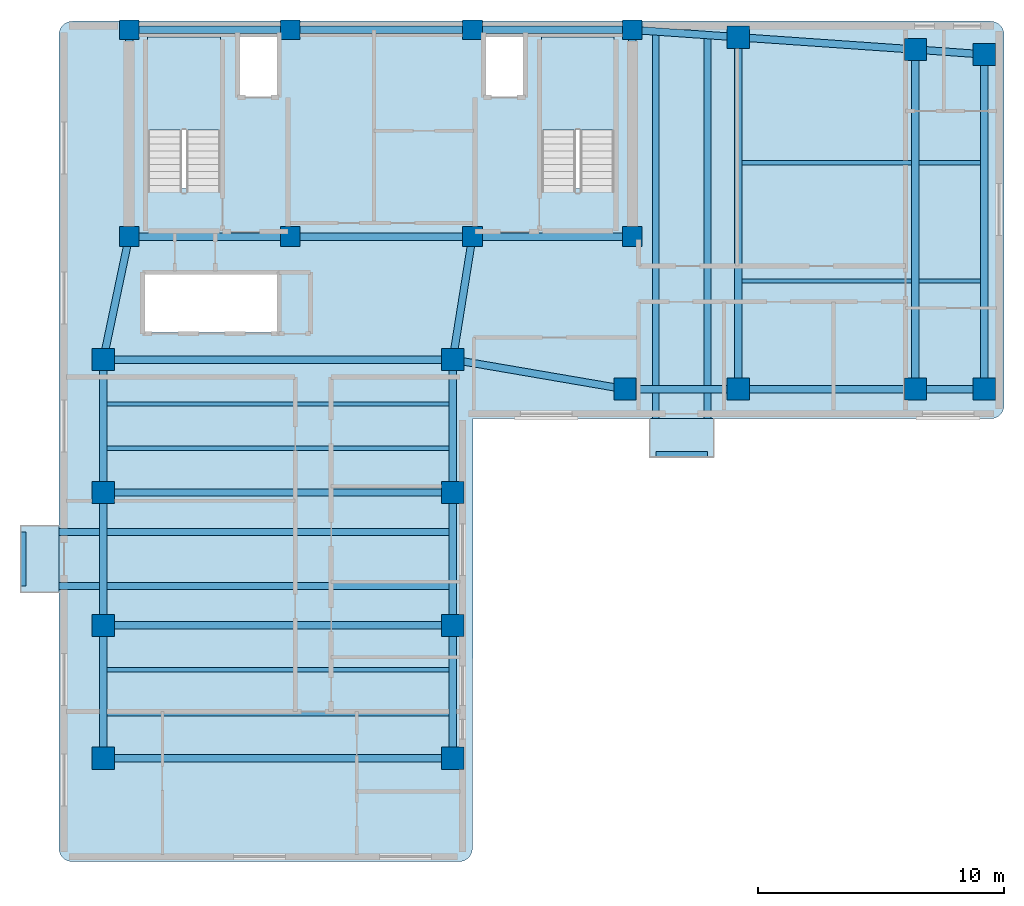
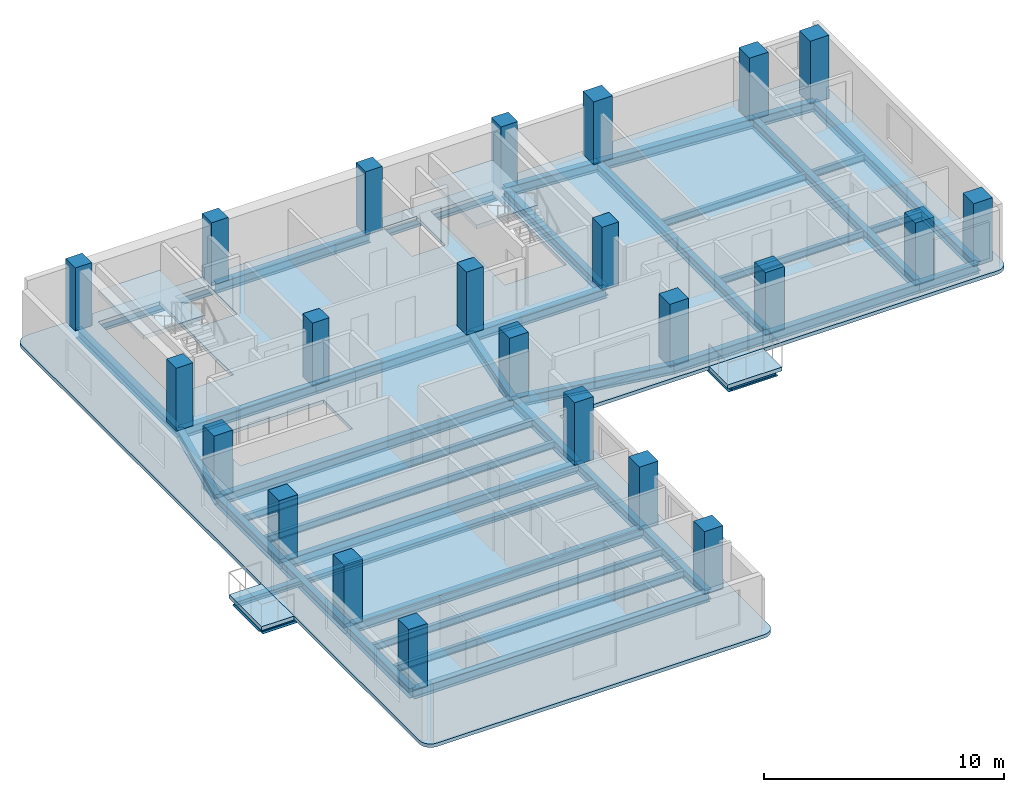
# One storey, part 1 of 7: 44 beams, 23 columns, 5 slabs, 2 elements without a shape of their own.
"""IFC4 building model written with IfcOpenShell, lengths in metres."""

import ifcopenshell
import ifcopenshell.guid

model = None  # the IFC model being written
_history = None  # IfcOwnerHistory: only IFC2X3 demands one
_inside = {}  # id of a spatial element -> (the spatial element, [elements in it])
_under = {}  # id of a project, library or spatial element -> (it, [spatial elements below it])
_declared = {}  # id of a project -> (the project, [libraries it declares])
_typed = {}  # id of a type object -> (the type object, [elements of that type])
_made_of = {}  # id of a material, layer set ... -> (it, [elements and type objects made of it])


def new_model(schema):
    """Start an empty IFC model of exactly this schema.

    Asked for "IFC4X3", IfcOpenShell would pick the latest addendum, in which some entities
    have other attributes; the version numbers below select the first issue.
    IFC2X3 requires an IfcOwnerHistory on every rooted entity: one is made here for all.
    """
    global model, _history
    if schema == "IFC4X3":
        model = ifcopenshell.file(schema_version=(4, 3, 0, 0))
    else:
        model = ifcopenshell.file(schema=schema)
    _inside.clear()
    _under.clear()
    _declared.clear()
    _typed.clear()
    _made_of.clear()
    _history = None
    if model.schema == "IFC2X3":
        org = make("IfcOrganization", Name="unknown")
        user = make(
            "IfcPersonAndOrganization",
            ThePerson=make("IfcPerson", FamilyName="unknown"),
            TheOrganization=org,
        )
        app = make(
            "IfcApplication",
            ApplicationDeveloper=org,
            Version="unknown",
            ApplicationFullName="unknown",
            ApplicationIdentifier="unknown",
        )
        _history = make(
            "IfcOwnerHistory",
            OwningUser=user,
            OwningApplication=app,
            ChangeAction="ADDED",
            CreationDate=0,
        )
    return model


def make(cls, **values):
    """One entity of the class cls with the attributes given. An attribute that is None is left unset."""
    return model.create_entity(
        cls, **{name: value for name, value in values.items() if value is not None}
    )


def rooted(cls, **values):
    """An entity with a GlobalId (a new one), such as an element, a storey or a relation."""
    return make(cls, GlobalId=ifcopenshell.guid.new(), OwnerHistory=_history, **values)


def si_unit(unit_type, name, prefix=None):
    """IfcSIUnit, for example si_unit("LENGTHUNIT", "METRE", prefix="MILLI")."""
    return make("IfcSIUnit", UnitType=unit_type, Prefix=prefix, Name=name)


def assignment(units):
    """IfcUnitAssignment: the units of a project."""
    return None if units is None else make("IfcUnitAssignment", Units=units)


def point(xyz):
    """IfcCartesianPoint."""
    return None if xyz is None else make("IfcCartesianPoint", Coordinates=xyz)


def direction(xyz):
    """IfcDirection."""
    return None if xyz is None else make("IfcDirection", DirectionRatios=xyz)


def frame(location, z_axis=None, x_axis=None):
    """IfcAxis2Placement3D, a coordinate frame: its origin and axes. An axis left out is left unset."""
    return make(
        "IfcAxis2Placement3D",
        Location=point(location),
        Axis=direction(z_axis),
        RefDirection=direction(x_axis),
    )


def frame_2d(location, x_axis=None):
    """IfcAxis2Placement2D, a coordinate frame in the plane: its origin and x axis."""
    return make(
        "IfcAxis2Placement2D", Location=point(location), RefDirection=direction(x_axis)
    )


def origin():
    """The frame at (0, 0, 0) with its axes left unset."""
    return frame((0.0, 0.0, 0.0))


def origin_2d():
    """The frame at (0, 0) in the plane with its x axis left unset."""
    return frame_2d((0.0, 0.0))


def place(relative_to, where):
    """IfcLocalPlacement: puts the frame where relative to a parent placement (None: the world)."""
    return make(
        "IfcLocalPlacement", PlacementRelTo=relative_to, RelativePlacement=where
    )


def context(
    kind, dimensions, precision=None, world=None, true_north=None, identifier=None
):
    """IfcGeometricRepresentationContext, for example the 3D "Model" context."""
    return make(
        "IfcGeometricRepresentationContext",
        ContextIdentifier=identifier,
        ContextType=kind,
        CoordinateSpaceDimension=dimensions,
        Precision=precision,
        WorldCoordinateSystem=world,
        TrueNorth=true_north,
    )


def subcontext(parent, identifier, kind, view, scale=None):
    """IfcGeometricRepresentationSubContext, for example "Body" below "Model"."""
    return make(
        "IfcGeometricRepresentationSubContext",
        ContextIdentifier=identifier,
        ContextType=kind,
        ParentContext=parent,
        TargetScale=scale,
        TargetView=view,
    )


def project(units=None, contexts=None):
    """IfcProject with its units and contexts."""
    return rooted(
        "IfcProject",
        Name="project",
        RepresentationContexts=contexts,
        UnitsInContext=assignment(units),
    )


def spatial(cls, under=None, at=None, **own):
    """A site, building, storey or space (cls), placed at a placement, below another one or the project."""
    s = rooted(cls, ObjectPlacement=at, **own)
    if under is not None:
        _under.setdefault(under.id(), (under, []))[1].append(s)
    return s


def polyline(points):
    """IfcPolyline through the points."""
    return make("IfcPolyline", Points=[point(p) for p in points])


def profile(cls, at=None, kind="AREA", **sizes):
    """A parametric profile (cls). Its sizes go by their IFC names, for example OverallWidth=200.0."""
    return make(cls, ProfileType=kind, Position=at, **sizes)


def rectangle(**sizes):
    """IfcRectangleProfileDef."""
    return profile("IfcRectangleProfileDef", **sizes)


def i_section(**sizes):
    """IfcIShapeProfileDef."""
    return profile("IfcIShapeProfileDef", **sizes)


def outline(outer, holes=None, kind="AREA"):
    """IfcArbitraryClosedProfileDef: a profile drawn as a closed curve; with holes, ...WithVoids."""
    if holes is None:
        return make("IfcArbitraryClosedProfileDef", ProfileType=kind, OuterCurve=outer)
    return make(
        "IfcArbitraryProfileDefWithVoids",
        ProfileType=kind,
        OuterCurve=outer,
        InnerCurves=holes,
    )


def extrude(swept, where, along, depth):
    """IfcExtrudedAreaSolid: the profile swept, set in the frame where, extruded along a direction by depth."""
    return make(
        "IfcExtrudedAreaSolid",
        SweptArea=swept,
        Position=where,
        ExtrudedDirection=direction(along),
        Depth=depth,
    )


def shape(context_of_items, identifier, shape_type, items):
    """IfcShapeRepresentation: the items that make up one representation, for example the "Body"."""
    return make(
        "IfcShapeRepresentation",
        ContextOfItems=context_of_items,
        RepresentationIdentifier=identifier,
        RepresentationType=shape_type,
        Items=items,
    )


def material(Name=None, Category=None):
    """IfcMaterial."""
    return make("IfcMaterial", Name=Name, Category=Category)


def layer(
    of_material, thickness, ventilated=None, Name=None, Category=None, Priority=None
):
    """IfcMaterialLayer: one layer of a wall or slab, of a material (None: an air gap)."""
    return make(
        "IfcMaterialLayer",
        Material=of_material,
        LayerThickness=thickness,
        IsVentilated=ventilated,
        Name=Name,
        Category=Category,
        Priority=Priority,
    )


def layer_set(layers, Name=None):
    """IfcMaterialLayerSet."""
    return make("IfcMaterialLayerSet", MaterialLayers=layers, LayerSetName=Name)


def material_profile(
    of_material, cross_section, Name=None, Category=None, Priority=None
):
    """IfcMaterialProfile: a cross section and its material."""
    return make(
        "IfcMaterialProfile",
        Name=Name,
        Material=of_material,
        Profile=cross_section,
        Priority=Priority,
        Category=Category,
    )


def profile_set(profiles, Name=None, composite=None):
    """IfcMaterialProfileSet."""
    return make(
        "IfcMaterialProfileSet",
        Name=Name,
        MaterialProfiles=profiles,
        CompositeProfile=composite,
    )


def made_of(thing, what):
    """Note that an element or type object is made of a material, layer set ...; save() writes the relation."""
    if what is not None:
        _made_of.setdefault(what.id(), (what, []))[1].append(thing)
    return thing


def type_object(cls, material=None, **own):
    """A type object (cls), such as IfcWallType, which elements share."""
    return made_of(rooted(cls, **own), material)


def element(
    cls,
    number,
    at=None,
    inside=None,
    cuts=None,
    type_object=None,
    material=None,
    context=None,
    identifier="Body",
    shape_type=None,
    held_by="IfcProductDefinitionShape",
    body=None,
    shapes=None,
    **own,
):
    """One element of the class cls, such as IfcWall. Its Tag is "e" and its number.

    at: its placement. inside: the storey or other place that contains it. cuts: it is an
    opening in that element (IfcRelVoidsElement). A single representation is given by context,
    identifier, shape_type and body (its items); several are given by shapes. held_by: the class
    of the entity that holds the representations. save() writes the other relations.
    """
    e = rooted(cls, Tag="e%d" % number, ObjectPlacement=at, **own)
    if body is not None:
        shapes = [shape(context, identifier, shape_type, body)]
    if shapes is not None:
        e.Representation = make(held_by, Representations=shapes)
    if inside is not None:
        _inside.setdefault(inside.id(), (inside, []))[1].append(e)
    if cuts is not None:
        rooted(
            "IfcRelVoidsElement", RelatingBuildingElement=cuts, RelatedOpeningElement=e
        )
    if type_object is not None:
        _typed.setdefault(type_object.id(), (type_object, []))[1].append(e)
    return made_of(e, material)


def aggregate(whole, parts):
    """IfcRelAggregates: a whole, such as a stair, and the parts it consists of."""
    return rooted("IfcRelAggregates", RelatingObject=whole, RelatedObjects=parts)


def save(model, path):
    """Write the relations noted so far, then the file.

    IfcRelAggregates (storeys below a building ...), IfcRelContainedInSpatialStructure (elements
    in a storey), IfcRelDefinesByType, IfcRelAssociatesMaterial and IfcRelDeclares: one each for
    every whole, place, type object, material and project.
    """
    for whole, parts in _under.values():
        aggregate(whole, parts)
    for where, things in _inside.values():
        rooted(
            "IfcRelContainedInSpatialStructure",
            RelatedElements=things,
            RelatingStructure=where,
        )
    for kind, things in _typed.values():
        rooted("IfcRelDefinesByType", RelatedObjects=things, RelatingType=kind)
    for what, things in _made_of.values():
        rooted("IfcRelAssociatesMaterial", RelatedObjects=things, RelatingMaterial=what)
    for by, libraries in _declared.values():
        rooted("IfcRelDeclares", RelatingContext=by, RelatedDefinitions=libraries)
    model.write(path)


model = new_model("IFC4")

# Units and contexts
model_context = context("Model", 3, precision=1e-05, world=origin(), true_north=direction((0.0, 1.0)))
body_context = subcontext(model_context, "Body", "Model", "MODEL_VIEW")
ifc_project = project(units=[si_unit("LENGTHUNIT", "METRE"), si_unit("AREAUNIT", "SQUARE_METRE"), si_unit("VOLUMEUNIT", "CUBIC_METRE"), si_unit("PLANEANGLEUNIT", "RADIAN"), si_unit("MASSUNIT", "GRAM", prefix="KILO")], contexts=[model_context])

# Site, building, storey
site_placement = place(None, origin())
site = spatial("IfcSite", under=ifc_project, at=site_placement, CompositionType="ELEMENT")
building_placement = place(site_placement, origin())
building = spatial("IfcBuilding", under=site, at=building_placement, Name="Kuzgunbayir Cultural Tower", CompositionType="ELEMENT")
storey_placement = place(building_placement, frame((0.0, 0.0, 201.60009765625)))
storey = spatial("IfcBuildingStorey", under=building, at=storey_placement, Name="L59", CompositionType="ELEMENT", Elevation=201.60009765625)

# Columns
ifc_material_1 = material(Name="Concrete C50/60", Category="concrete")
ifc_material_profile_1 = material_profile(ifc_material_1, rectangle(XDim=0.800048828125, YDim=0.800048828125, at=origin_2d()), Name="RC 800x800")
ifc_profile_set_1 = profile_set([ifc_material_profile_1], Name="Concrete C50/60")
column_type_1 = type_object("IfcColumnType", Name="COL-CORE-800", PredefinedType="COLUMN", material=ifc_profile_set_1)
for number, where, z_axis, x_axis, name in (
    (1, (6.449951171875, 33.800048828125, 0.0), (0.0, 0.0, 1.0), (1.0, 0.0, 0.0), "L59 T1 Core Boundary Column CC1-1"),
    (2, (13.0, 33.800048828125, 0.0), (0.0, 0.0, 1.0), (1.0, 0.0, 0.0), "L59 T1 Core Boundary Column CC1-2"),
    (3, (20.39990234375, 33.800048828125, 0.0), (0.0, 0.0, 1.0), (1.0, 0.0, 0.0), "L59 T1 Core Boundary Column CC1-3"),
    (4, (26.89990234375, 33.800048828125, 0.0), (0.0, 0.0, 1.0), (1.0, 0.0, 0.0), "L59 T1 Core Boundary Column CC1-4"),
    (5, (6.449951171875, 42.199951171875, 0.0), (0.0, 0.0, 1.0), (1.0, 0.0, 0.0), "L59 T1 Core Boundary Column CC1-5"),
    (6, (13.0, 42.199951171875, 0.0), (0.0, 0.0, 1.0), (1.0, 0.0, 0.0), "L59 T1 Core Boundary Column CC1-6"),
    (7, (20.39990234375, 42.199951171875, 0.0), (0.0, 0.0, 1.0), (1.0, 0.0, 0.0), "L59 T1 Core Boundary Column CC1-7"),
    (8, (26.89990234375, 42.199951171875, 0.0), (0.0, 0.0, 1.0), (1.0, 0.0, 0.0), "L59 T1 Core Boundary Column CC1-8"),
):
    element("IfcColumn", number, at=place(storey_placement, frame(where, z_axis=z_axis, x_axis=x_axis)), inside=storey, type_object=column_type_1, Name=name, PredefinedType="COLUMN", context=body_context, shape_type="SweptSolid", body=[
        extrude(rectangle(XDim=0.800048828125, YDim=0.800048828125, at=origin_2d()), origin(), (0.0, 0.0, 1.0), 3.199951171875),
    ])
ifc_material_profile_2 = material_profile(ifc_material_1, rectangle(XDim=0.89990234375, YDim=0.89990234375, at=origin_2d()), Name="RC 900x900")
ifc_profile_set_2 = profile_set([ifc_material_profile_2], Name="Concrete C50/60")
column_type_2 = type_object("IfcColumnType", Name="COL-T1-900", PredefinedType="COLUMN", material=ifc_profile_set_2)
for number, where, z_axis, x_axis, name in (
    (9, (5.39990234375, 12.60009765625, 0.0), (0.0, 0.0, 1.0), (1.0, 0.0, 0.0), "L59 Tower 1 Wing A Column T1A-W-1"),
    (10, (19.60009765625, 12.60009765625, 0.0), (0.0, 0.0, 1.0), (1.0, 0.0, 0.0), "L59 Tower 1 Wing A Column T1A-E-1"),
    (11, (5.39990234375, 18.0, 0.0), (0.0, 0.0, 1.0), (1.0, 0.0, 0.0), "L59 Tower 1 Wing A Column T1A-W-2"),
    (12, (19.60009765625, 18.0, 0.0), (0.0, 0.0, 1.0), (1.0, 0.0, 0.0), "L59 Tower 1 Wing A Column T1A-E-2"),
    (13, (5.39990234375, 23.39990234375, 0.0), (0.0, 0.0, 1.0), (1.0, 0.0, 0.0), "L59 Tower 1 Wing A Column T1A-W-3"),
    (14, (19.60009765625, 23.39990234375, 0.0), (0.0, 0.0, 1.0), (1.0, 0.0, 0.0), "L59 Tower 1 Wing A Column T1A-E-3"),
    (15, (5.39990234375, 28.800048828125, 0.0), (0.0, 0.0, 1.0), (1.0, 0.0, 0.0), "L59 Tower 1 Wing A Column T1A-W-4"),
    (16, (19.60009765625, 28.800048828125, 0.0), (0.0, 0.0, 1.0), (1.0, 0.0, 0.0), "L59 Tower 1 Wing A Column T1A-E-4"),
    (17, (26.60009765625, 27.60009765625, 0.0), (0.0, 0.0, 1.0), (1.0, 0.0, 0.0), "L59 Tower 1 Wing B Column T1B-1-1"),
    (18, (31.199951171875, 27.60009765625, 0.0), (0.0, 0.0, 1.0), (1.0, 0.0, 0.0), "L59 Tower 1 Wing B Column T1B-2-1"),
    (19, (31.199951171875, 41.89990234375, 0.0), (0.0, 0.0, 1.0), (1.0, 0.0, 0.0), "L59 Tower 1 Wing B Column T1B-2-2"),
    (20, (38.39990234375, 27.60009765625, 0.0), (0.0, 0.0, 1.0), (1.0, 0.0, 0.0), "L59 Tower 1 Wing B Column T1B-3-1"),
    (21, (38.39990234375, 41.39990234375, 0.0), (0.0, 0.0, 1.0), (1.0, 0.0, 0.0), "L59 Tower 1 Wing B Column T1B-3-2"),
    (22, (41.199951171875, 27.60009765625, 0.0), (0.0, 0.0, 1.0), (1.0, 0.0, 0.0), "L59 Tower 1 Wing B Column T1B-4-1"),
    (23, (41.199951171875, 41.199951171875, 0.0), (0.0, 0.0, 1.0), (1.0, 0.0, 0.0), "L59 Tower 1 Wing B Column T1B-4-2"),
):
    element("IfcColumn", number, at=place(storey_placement, frame(where, z_axis=z_axis, x_axis=x_axis)), inside=storey, type_object=column_type_2, Name=name, PredefinedType="COLUMN", context=body_context, shape_type="SweptSolid", body=[
        extrude(rectangle(XDim=0.89990234375, YDim=0.89990234375, at=origin_2d()), origin(), (0.0, 0.0, 1.0), 3.199951171875),
    ])

# Beams
ifc_material_2 = material(Name="Steel S355J2", Category="steel")
ifc_material_profile_3 = material_profile(ifc_material_2, i_section(OverallWidth=0.280029296875, OverallDepth=0.280029296875, WebThickness=0.010498046875, FlangeThickness=0.01806640625, FilletRadius=0.02392578125, at=origin_2d()), Name="HEB 280")
ifc_profile_set_3 = profile_set([ifc_material_profile_3], Name="Steel S355J2")
beam_type_1 = type_object("IfcBeamType", Name="BM-BAL-HEB280", PredefinedType="BEAM", material=ifc_profile_set_3)
for number, where, z_axis, x_axis, name in (
    (24, (2.159912109375, 19.60009765625, -0.340087890625), (1.0, 0.0, 0.0), (0.0, 1.0, 0.0), "L59 Balcony Outrigger Beam BAL-L59-WA2.1"),
    (25, (2.159912109375, 21.800048828125, -0.340087890625), (1.0, 0.0, 0.0), (0.0, 1.0, 0.0), "L59 Balcony Outrigger Beam BAL-L59-WA2.2"),
):
    element("IfcBeam", number, at=place(storey_placement, frame(where, z_axis=z_axis, x_axis=x_axis)), inside=storey, type_object=beam_type_1, Name=name, PredefinedType="BEAM", context=body_context, shape_type="SweptSolid", body=[
        extrude(i_section(OverallWidth=0.280029296875, OverallDepth=0.280029296875, WebThickness=0.010498046875, FlangeThickness=0.01806640625, FilletRadius=0.02392578125, at=origin_2d()), origin(), (0.0, 0.0, 1.0), 17.440185546875),
    ])
beam_1_placement = place(storey_placement, frame((27.85009765625, 24.9599609375, -0.340087890625), z_axis=(0.0, 1.0, 0.0), x_axis=(-1.0, 0.0, 0.0)))
element("IfcBeam", 26, at=beam_1_placement, inside=storey, type_object=beam_type_1, Name="L59 Balcony Outrigger Beam BAL-L59-WB1.1", PredefinedType="BEAM", context=body_context, shape_type="SweptSolid", body=[
    extrude(i_section(OverallWidth=0.280029296875, OverallDepth=0.280029296875, WebThickness=0.010498046875, FlangeThickness=0.01806640625, FilletRadius=0.02392578125, at=origin_2d()), origin(), (0.0, 0.0, 1.0), 17.169921875),
])
beam_2_placement = place(storey_placement, frame((29.949951171875, 24.9599609375, -0.340087890625), z_axis=(0.0, 1.0, 0.0), x_axis=(-1.0, 0.0, 0.0)))
element("IfcBeam", 27, at=beam_2_placement, inside=storey, type_object=beam_type_1, Name="L59 Balcony Outrigger Beam BAL-L59-WB1.2", PredefinedType="BEAM", context=body_context, shape_type="SweptSolid", body=[
    extrude(i_section(OverallWidth=0.280029296875, OverallDepth=0.280029296875, WebThickness=0.010498046875, FlangeThickness=0.01806640625, FilletRadius=0.02392578125, at=origin_2d()), origin(), (0.0, 0.0, 1.0), 17.030029296875),
])
ifc_material_profile_4 = material_profile(ifc_material_2, i_section(OverallWidth=0.199951171875, OverallDepth=0.199951171875, WebThickness=0.009033203125, FlangeThickness=0.014892578125, FilletRadius=0.01806640625, at=origin_2d()), Name="HEB 200")
ifc_profile_set_4 = profile_set([ifc_material_profile_4], Name="Steel S355J2")
beam_type_2 = type_object("IfcBeamType", Name="BM-CAN-HEB200", PredefinedType="BEAM", material=ifc_profile_set_4)
beam_3_placement = place(storey_placement, frame((2.159912109375, 19.60009765625, -0.300048828125), z_axis=(0.0, 1.0, 0.0), x_axis=(-1.0, 0.0, 0.0)))
element("IfcBeam", 28, at=beam_3_placement, inside=storey, type_object=beam_type_2, Name="L59 Balcony Edge Header BAL-L59-WA2", PredefinedType="BEAM", context=body_context, shape_type="SweptSolid", body=[
    extrude(i_section(OverallWidth=0.199951171875, OverallDepth=0.199951171875, WebThickness=0.009033203125, FlangeThickness=0.014892578125, FilletRadius=0.01806640625, at=origin_2d()), origin(), (0.0, 0.0, 1.0), 2.199951171875),
])
beam_4_placement = place(storey_placement, frame((27.85009765625, 24.9599609375, -0.300048828125), z_axis=(1.0, 0.0, 0.0), x_axis=(0.0, 1.0, 0.0)))
element("IfcBeam", 29, at=beam_4_placement, inside=storey, type_object=beam_type_2, Name="L59 Balcony Edge Header BAL-L59-WB1", PredefinedType="BEAM", context=body_context, shape_type="SweptSolid", body=[
    extrude(i_section(OverallWidth=0.199951171875, OverallDepth=0.199951171875, WebThickness=0.009033203125, FlangeThickness=0.014892578125, FilletRadius=0.01806640625, at=origin_2d()), origin(), (0.0, 0.0, 1.0), 2.099853515625),
])
ifc_material_profile_5 = material_profile(ifc_material_2, i_section(OverallWidth=0.300048828125, OverallDepth=0.5, WebThickness=0.014404296875, FlangeThickness=0.028076171875, FilletRadius=0.027099609375, at=origin_2d()), Name="HEB 500")
ifc_profile_set_5 = profile_set([ifc_material_profile_5], Name="Steel S355J2")
beam_type_3 = type_object("IfcBeamType", Name="BM-EXT-HEB500", PredefinedType="BEAM", material=ifc_profile_set_5)
for number, where, z_axis, x_axis, name in (
    (30, (5.39990234375, 12.60009765625, -0.43017578125), (0.0, 1.0, 0.0), (-1.0, 0.0, 0.0), "L59 Wing A West Girder 1"),
    (31, (19.60009765625, 12.60009765625, -0.43017578125), (0.0, 1.0, 0.0), (-1.0, 0.0, 0.0), "L59 Wing A East Girder 1"),
    (32, (5.39990234375, 18.0, -0.43017578125), (0.0, 1.0, 0.0), (-1.0, 0.0, 0.0), "L59 Wing A West Girder 2"),
    (33, (19.60009765625, 18.0, -0.43017578125), (0.0, 1.0, 0.0), (-1.0, 0.0, 0.0), "L59 Wing A East Girder 2"),
):
    element("IfcBeam", number, at=place(storey_placement, frame(where, z_axis=z_axis, x_axis=x_axis)), inside=storey, type_object=beam_type_3, Name=name, PredefinedType="BEAM", context=body_context, shape_type="SweptSolid", body=[
        extrude(i_section(OverallWidth=0.300048828125, OverallDepth=0.5, WebThickness=0.014404296875, FlangeThickness=0.028076171875, FilletRadius=0.027099609375, at=origin_2d()), origin(), (0.0, 0.0, 1.0), 5.39990234375),
    ])
for number, where, z_axis, x_axis, name in (
    (34, (5.39990234375, 23.39990234375, -0.43017578125), (0.0, 1.0, 0.0), (-1.0, 0.0, 0.0), "L59 Wing A West Girder 3"),
    (35, (19.60009765625, 23.39990234375, -0.43017578125), (0.0, 1.0, 0.0), (-1.0, 0.0, 0.0), "L59 Wing A East Girder 3"),
):
    element("IfcBeam", number, at=place(storey_placement, frame(where, z_axis=z_axis, x_axis=x_axis)), inside=storey, type_object=beam_type_3, Name=name, PredefinedType="BEAM", context=body_context, shape_type="SweptSolid", body=[
        extrude(i_section(OverallWidth=0.300048828125, OverallDepth=0.5, WebThickness=0.014404296875, FlangeThickness=0.028076171875, FilletRadius=0.027099609375, at=origin_2d()), origin(), (0.0, 0.0, 1.0), 5.400146484375),
    ])
beam_5_placement = place(storey_placement, frame((26.60009765625, 27.60009765625, -0.43017578125), z_axis=(1.0, 0.0, 0.0), x_axis=(0.0, 1.0, 0.0)))
element("IfcBeam", 36, at=beam_5_placement, inside=storey, type_object=beam_type_3, Name="L59 Wing B South Girder 1", PredefinedType="BEAM", context=body_context, shape_type="SweptSolid", body=[
    extrude(i_section(OverallWidth=0.300048828125, OverallDepth=0.5, WebThickness=0.014404296875, FlangeThickness=0.028076171875, FilletRadius=0.027099609375, at=origin_2d()), origin(), (0.0, 0.0, 1.0), 4.599853515625),
])
beam_6_placement = place(storey_placement, frame((26.89990234375, 42.199951171875, -0.43017578125), z_axis=(0.997574369175, -0.069608749203, 0.0), x_axis=(0.069608749203, 0.997574369175, 0.0)))
element("IfcBeam", 37, at=beam_6_placement, inside=storey, type_object=beam_type_3, Name="L59 Wing B North Girder 1", PredefinedType="BEAM", context=body_context, shape_type="SweptSolid", body=[
    extrude(i_section(OverallWidth=0.300048828125, OverallDepth=0.5, WebThickness=0.014404296875, FlangeThickness=0.028076171875, FilletRadius=0.027099609375, at=origin_2d()), origin(), (0.0, 0.0, 1.0), 4.310546875),
])
beam_7_placement = place(storey_placement, frame((31.199951171875, 27.60009765625, -0.43017578125), z_axis=(1.0, 0.0, 0.0), x_axis=(0.0, 1.0, 0.0)))
element("IfcBeam", 38, at=beam_7_placement, inside=storey, type_object=beam_type_3, Name="L59 Wing B South Girder 2", PredefinedType="BEAM", context=body_context, shape_type="SweptSolid", body=[
    extrude(i_section(OverallWidth=0.300048828125, OverallDepth=0.5, WebThickness=0.014404296875, FlangeThickness=0.028076171875, FilletRadius=0.027099609375, at=origin_2d()), origin(), (0.0, 0.0, 1.0), 7.199951171875),
])
beam_8_placement = place(storey_placement, frame((31.199951171875, 41.89990234375, -0.43017578125), z_axis=(0.997597388498, -0.069278066245, 0.0), x_axis=(0.069278066245, 0.997597388498, 0.0)))
element("IfcBeam", 39, at=beam_8_placement, inside=storey, type_object=beam_type_3, Name="L59 Wing B North Girder 2", PredefinedType="BEAM", context=body_context, shape_type="SweptSolid", body=[
    extrude(i_section(OverallWidth=0.300048828125, OverallDepth=0.5, WebThickness=0.014404296875, FlangeThickness=0.028076171875, FilletRadius=0.027099609375, at=origin_2d()), origin(), (0.0, 0.0, 1.0), 7.21728515625),
])
beam_9_placement = place(storey_placement, frame((38.39990234375, 27.60009765625, -0.43017578125), z_axis=(1.0, 0.0, 0.0), x_axis=(0.0, 1.0, 0.0)))
element("IfcBeam", 40, at=beam_9_placement, inside=storey, type_object=beam_type_3, Name="L59 Wing B South Girder 3", PredefinedType="BEAM", context=body_context, shape_type="SweptSolid", body=[
    extrude(i_section(OverallWidth=0.300048828125, OverallDepth=0.5, WebThickness=0.014404296875, FlangeThickness=0.028076171875, FilletRadius=0.027099609375, at=origin_2d()), origin(), (0.0, 0.0, 1.0), 2.800048828125),
])
beam_10_placement = place(storey_placement, frame((38.39990234375, 41.39990234375, -0.43017578125), z_axis=(0.997460024076, -0.071228508128, 0.0), x_axis=(0.071228508128, 0.997460024076, 0.0)))
element("IfcBeam", 41, at=beam_10_placement, inside=storey, type_object=beam_type_3, Name="L59 Wing B North Girder 3", PredefinedType="BEAM", context=body_context, shape_type="SweptSolid", body=[
    extrude(i_section(OverallWidth=0.300048828125, OverallDepth=0.5, WebThickness=0.014404296875, FlangeThickness=0.028076171875, FilletRadius=0.027099609375, at=origin_2d()), origin(), (0.0, 0.0, 1.0), 2.80712890625),
])
ifc_material_profile_6 = material_profile(ifc_material_2, i_section(OverallWidth=0.300048828125, OverallDepth=0.5, WebThickness=0.014404296875, FlangeThickness=0.028076171875, FilletRadius=0.027099609375, at=origin_2d()), Name="HEB 500")
ifc_profile_set_6 = profile_set([ifc_material_profile_6], Name="Steel S355J2")
beam_type_4 = type_object("IfcBeamType", Name="BM-GIR-HEB500", PredefinedType="BEAM", material=ifc_profile_set_6)
beam_11_placement = place(storey_placement, frame((6.449951171875, 33.800048828125, -0.43017578125), z_axis=(1.0, 0.0, 0.0), x_axis=(0.0, 1.0, 0.0)))
element("IfcBeam", 42, at=beam_11_placement, inside=storey, type_object=beam_type_4, Name="L59 Core South Girder 1", PredefinedType="BEAM", context=body_context, shape_type="SweptSolid", body=[
    extrude(i_section(OverallWidth=0.300048828125, OverallDepth=0.5, WebThickness=0.014404296875, FlangeThickness=0.028076171875, FilletRadius=0.027099609375, at=origin_2d()), origin(), (0.0, 0.0, 1.0), 6.550048828125),
])
beam_12_placement = place(storey_placement, frame((13.0, 33.800048828125, -0.43017578125), z_axis=(1.0, 0.0, 0.0), x_axis=(0.0, 1.0, 0.0)))
element("IfcBeam", 43, at=beam_12_placement, inside=storey, type_object=beam_type_4, Name="L59 Core South Girder 2", PredefinedType="BEAM", context=body_context, shape_type="SweptSolid", body=[
    extrude(i_section(OverallWidth=0.300048828125, OverallDepth=0.5, WebThickness=0.014404296875, FlangeThickness=0.028076171875, FilletRadius=0.027099609375, at=origin_2d()), origin(), (0.0, 0.0, 1.0), 7.39990234375),
])
beam_13_placement = place(storey_placement, frame((20.39990234375, 33.800048828125, -0.43017578125), z_axis=(1.0, 0.0, 0.0), x_axis=(0.0, 1.0, 0.0)))
element("IfcBeam", 44, at=beam_13_placement, inside=storey, type_object=beam_type_4, Name="L59 Core South Girder 3", PredefinedType="BEAM", context=body_context, shape_type="SweptSolid", body=[
    extrude(i_section(OverallWidth=0.300048828125, OverallDepth=0.5, WebThickness=0.014404296875, FlangeThickness=0.028076171875, FilletRadius=0.027099609375, at=origin_2d()), origin(), (0.0, 0.0, 1.0), 6.5),
])
beam_14_placement = place(storey_placement, frame((6.449951171875, 42.199951171875, -0.43017578125), z_axis=(1.0, 0.0, 0.0), x_axis=(0.0, 1.0, 0.0)))
element("IfcBeam", 45, at=beam_14_placement, inside=storey, type_object=beam_type_4, Name="L59 Core North Girder 1", PredefinedType="BEAM", context=body_context, shape_type="SweptSolid", body=[
    extrude(i_section(OverallWidth=0.300048828125, OverallDepth=0.5, WebThickness=0.014404296875, FlangeThickness=0.028076171875, FilletRadius=0.027099609375, at=origin_2d()), origin(), (0.0, 0.0, 1.0), 6.550048828125),
])
beam_15_placement = place(storey_placement, frame((13.0, 42.199951171875, -0.43017578125), z_axis=(1.0, 0.0, 0.0), x_axis=(0.0, 1.0, 0.0)))
element("IfcBeam", 46, at=beam_15_placement, inside=storey, type_object=beam_type_4, Name="L59 Core North Girder 2", PredefinedType="BEAM", context=body_context, shape_type="SweptSolid", body=[
    extrude(i_section(OverallWidth=0.300048828125, OverallDepth=0.5, WebThickness=0.014404296875, FlangeThickness=0.028076171875, FilletRadius=0.027099609375, at=origin_2d()), origin(), (0.0, 0.0, 1.0), 7.39990234375),
])
beam_16_placement = place(storey_placement, frame((20.39990234375, 42.199951171875, -0.43017578125), z_axis=(1.0, 0.0, 0.0), x_axis=(0.0, 1.0, 0.0)))
element("IfcBeam", 47, at=beam_16_placement, inside=storey, type_object=beam_type_4, Name="L59 Core North Girder 3", PredefinedType="BEAM", context=body_context, shape_type="SweptSolid", body=[
    extrude(i_section(OverallWidth=0.300048828125, OverallDepth=0.5, WebThickness=0.014404296875, FlangeThickness=0.028076171875, FilletRadius=0.027099609375, at=origin_2d()), origin(), (0.0, 0.0, 1.0), 6.5),
])
for number, where, z_axis, x_axis, name in (
    (48, (6.449951171875, 33.800048828125, -0.43017578125), (0.0, 1.0, 0.0), (-1.0, 0.0, 0.0), "L59 Core West Edge Girder"),
    (49, (26.89990234375, 33.800048828125, -0.43017578125), (0.0, 1.0, 0.0), (-1.0, 0.0, 0.0), "L59 Core East Edge Girder"),
):
    element("IfcBeam", number, at=place(storey_placement, frame(where, z_axis=z_axis, x_axis=x_axis)), inside=storey, type_object=beam_type_4, Name=name, PredefinedType="BEAM", context=body_context, shape_type="SweptSolid", body=[
        extrude(i_section(OverallWidth=0.300048828125, OverallDepth=0.5, WebThickness=0.014404296875, FlangeThickness=0.028076171875, FilletRadius=0.027099609375, at=origin_2d()), origin(), (0.0, 0.0, 1.0), 8.39990234375),
    ])
for number, where, z_axis, x_axis, name in (
    (50, (5.39990234375, 12.60009765625, -0.43017578125), (1.0, 0.0, 0.0), (0.0, 1.0, 0.0), "L59 Wing A Transverse Girder 1"),
    (51, (5.39990234375, 18.0, -0.43017578125), (1.0, 0.0, 0.0), (0.0, 1.0, 0.0), "L59 Wing A Transverse Girder 2"),
    (52, (5.39990234375, 23.39990234375, -0.43017578125), (1.0, 0.0, 0.0), (0.0, 1.0, 0.0), "L59 Wing A Transverse Girder 3"),
    (53, (5.39990234375, 28.800048828125, -0.43017578125), (1.0, 0.0, 0.0), (0.0, 1.0, 0.0), "L59 Wing A Transverse Girder 4"),
):
    element("IfcBeam", number, at=place(storey_placement, frame(where, z_axis=z_axis, x_axis=x_axis)), inside=storey, type_object=beam_type_4, Name=name, PredefinedType="BEAM", context=body_context, shape_type="SweptSolid", body=[
        extrude(i_section(OverallWidth=0.300048828125, OverallDepth=0.5, WebThickness=0.014404296875, FlangeThickness=0.028076171875, FilletRadius=0.027099609375, at=origin_2d()), origin(), (0.0, 0.0, 1.0), 14.2001953125),
    ])
beam_17_placement = place(storey_placement, frame((5.39990234375, 28.800048828125, -0.43017578125), z_axis=(0.205526387753, 0.978651574329, 0.0), x_axis=(-0.978651574329, 0.205526387753, 0.0)))
element("IfcBeam", 54, at=beam_17_placement, inside=storey, type_object=beam_type_4, Name="L59 Wing A West Core Floor Girder", PredefinedType="BEAM", context=body_context, shape_type="SweptSolid", body=[
    extrude(i_section(OverallWidth=0.300048828125, OverallDepth=0.5, WebThickness=0.014404296875, FlangeThickness=0.028076171875, FilletRadius=0.027099609375, at=origin_2d()), origin(), (0.0, 0.0, 1.0), 5.109130859375),
])
beam_18_placement = place(storey_placement, frame((19.60009765625, 28.800048828125, -0.43017578125), z_axis=(0.157952891656, 0.987446648694, 0.0), x_axis=(-0.987446648694, 0.157952891656, 0.0)))
element("IfcBeam", 55, at=beam_18_placement, inside=storey, type_object=beam_type_4, Name="L59 Wing A East Core Floor Girder", PredefinedType="BEAM", context=body_context, shape_type="SweptSolid", body=[
    extrude(i_section(OverallWidth=0.300048828125, OverallDepth=0.5, WebThickness=0.014404296875, FlangeThickness=0.028076171875, FilletRadius=0.027099609375, at=origin_2d()), origin(), (0.0, 0.0, 1.0), 5.0634765625),
])
beam_19_placement = place(storey_placement, frame((31.199951171875, 27.60009765625, -0.43017578125), z_axis=(0.0, 1.0, 0.0), x_axis=(-1.0, 0.0, 0.0)))
element("IfcBeam", 56, at=beam_19_placement, inside=storey, type_object=beam_type_4, Name="L59 Wing B Cross Girder 31", PredefinedType="BEAM", context=body_context, shape_type="SweptSolid", body=[
    extrude(i_section(OverallWidth=0.300048828125, OverallDepth=0.5, WebThickness=0.014404296875, FlangeThickness=0.028076171875, FilletRadius=0.027099609375, at=origin_2d()), origin(), (0.0, 0.0, 1.0), 14.2998046875),
])
beam_20_placement = place(storey_placement, frame((38.39990234375, 27.60009765625, -0.43017578125), z_axis=(0.0, 1.0, 0.0), x_axis=(-1.0, 0.0, 0.0)))
element("IfcBeam", 57, at=beam_20_placement, inside=storey, type_object=beam_type_4, Name="L59 Wing B Cross Girder 38", PredefinedType="BEAM", context=body_context, shape_type="SweptSolid", body=[
    extrude(i_section(OverallWidth=0.300048828125, OverallDepth=0.5, WebThickness=0.014404296875, FlangeThickness=0.028076171875, FilletRadius=0.027099609375, at=origin_2d()), origin(), (0.0, 0.0, 1.0), 13.7998046875),
])
beam_21_placement = place(storey_placement, frame((41.199951171875, 27.60009765625, -0.43017578125), z_axis=(0.0, 1.0, 0.0), x_axis=(-1.0, 0.0, 0.0)))
element("IfcBeam", 58, at=beam_21_placement, inside=storey, type_object=beam_type_4, Name="L59 Wing B Cross Girder 41", PredefinedType="BEAM", context=body_context, shape_type="SweptSolid", body=[
    extrude(i_section(OverallWidth=0.300048828125, OverallDepth=0.5, WebThickness=0.014404296875, FlangeThickness=0.028076171875, FilletRadius=0.027099609375, at=origin_2d()), origin(), (0.0, 0.0, 1.0), 13.599853515625),
])
beam_22_placement = place(storey_placement, frame((19.60009765625, 28.800048828125, -0.43017578125), z_axis=(0.985623399742, -0.168957136221, 0.0), x_axis=(0.168957136221, 0.985623399742, 0.0)))
element("IfcBeam", 59, at=beam_22_placement, inside=storey, type_object=beam_type_4, Name="L59 Wing B Waist Tie Girder", PredefinedType="BEAM", context=body_context, shape_type="SweptSolid", body=[
    extrude(i_section(OverallWidth=0.300048828125, OverallDepth=0.5, WebThickness=0.014404296875, FlangeThickness=0.028076171875, FilletRadius=0.027099609375, at=origin_2d()), origin(), (0.0, 0.0, 1.0), 7.10205078125),
])
ifc_material_profile_7 = material_profile(ifc_material_2, i_section(OverallWidth=0.169921875, OverallDepth=0.360107421875, WebThickness=0.008056640625, FlangeThickness=0.0126953125, FilletRadius=0.01806640625, at=origin_2d()), Name="IPE 360")
ifc_profile_set_7 = profile_set([ifc_material_profile_7], Name="Steel S355J2")
beam_type_5 = type_object("IfcBeamType", Name="BM-JST-IPE360", PredefinedType="JOIST", material=ifc_profile_set_7)
for number, where, z_axis, x_axis, name in (
    (60, (5.550048828125, 14.39990234375, -0.360107421875), (1.0, 0.0, 0.0), (0.0, 1.0, 0.0), "L59 Wing A Secondary Joist 1"),
    (61, (5.550048828125, 16.199951171875, -0.360107421875), (1.0, 0.0, 0.0), (0.0, 1.0, 0.0), "L59 Wing A Secondary Joist 2"),
    (62, (5.550048828125, 25.199951171875, -0.360107421875), (1.0, 0.0, 0.0), (0.0, 1.0, 0.0), "L59 Wing A Secondary Joist 5"),
    (63, (5.550048828125, 27.0, -0.360107421875), (1.0, 0.0, 0.0), (0.0, 1.0, 0.0), "L59 Wing A Secondary Joist 6"),
):
    element("IfcBeam", number, at=place(storey_placement, frame(where, z_axis=z_axis, x_axis=x_axis)), inside=storey, type_object=beam_type_5, Name=name, PredefinedType="JOIST", context=body_context, shape_type="SweptSolid", body=[
        extrude(i_section(OverallWidth=0.169921875, OverallDepth=0.360107421875, WebThickness=0.008056640625, FlangeThickness=0.0126953125, FilletRadius=0.01806640625, at=origin_2d()), origin(), (0.0, 0.0, 1.0), 13.89990234375),
    ])
for number, where, z_axis, x_axis, name in (
    (64, (31.35009765625, 32.0, -0.360107421875), (1.0, 0.0, 0.0), (0.0, 1.0, 0.0), "L59 Wing B Secondary Joist 1.1"),
    (65, (31.35009765625, 36.800048828125, -0.360107421875), (1.0, 0.0, 0.0), (0.0, 1.0, 0.0), "L59 Wing B Secondary Joist 1.2"),
):
    element("IfcBeam", number, at=place(storey_placement, frame(where, z_axis=z_axis, x_axis=x_axis)), inside=storey, type_object=beam_type_5, Name=name, PredefinedType="JOIST", context=body_context, shape_type="SweptSolid", body=[
        extrude(i_section(OverallWidth=0.169921875, OverallDepth=0.360107421875, WebThickness=0.008056640625, FlangeThickness=0.0126953125, FilletRadius=0.01806640625, at=origin_2d()), origin(), (0.0, 0.0, 1.0), 6.89990234375),
    ])
for number, where, z_axis, x_axis, name in (
    (66, (38.550048828125, 32.0, -0.360107421875), (1.0, 0.0, 0.0), (0.0, 1.0, 0.0), "L59 Wing B Secondary Joist 2.1"),
    (67, (38.550048828125, 36.800048828125, -0.360107421875), (1.0, 0.0, 0.0), (0.0, 1.0, 0.0), "L59 Wing B Secondary Joist 2.2"),
):
    element("IfcBeam", number, at=place(storey_placement, frame(where, z_axis=z_axis, x_axis=x_axis)), inside=storey, type_object=beam_type_5, Name=name, PredefinedType="JOIST", context=body_context, shape_type="SweptSolid", body=[
        extrude(i_section(OverallWidth=0.169921875, OverallDepth=0.360107421875, WebThickness=0.008056640625, FlangeThickness=0.0126953125, FilletRadius=0.01806640625, at=origin_2d()), origin(), (0.0, 0.0, 1.0), 2.5),
    ])

# Slabs
ifc_material_3 = material(Name="Concrete C40/50", Category="concrete")
ifc_layer_1 = layer(ifc_material_3, 0.199951171875)
ifc_layer_set_1 = layer_set([ifc_layer_1], Name="Concrete C40/50")
slab_type_1 = type_object("IfcSlabType", Name="SLB-BAL-STONE", PredefinedType="FLOOR", material=ifc_layer_set_1)
slab_1_placement = place(storey_placement, frame((0.0, 0.0, -0.2001953125)))
element("IfcSlab", 68, at=slab_1_placement, inside=storey, type_object=slab_type_1, Name="L59 Projecting Limestone Balcony BAL-L59-WA2", PredefinedType="FLOOR", context=body_context, shape_type="SweptSolid", body=[
    extrude(outline(polyline([(2.0400390625, 19.35009765625), (3.60009765625, 19.35009765625), (3.60009765625, 22.050048828125), (2.0400390625, 22.050048828125), (2.0400390625, 19.35009765625)])), origin(), (0.0, 0.0, 1.0), 0.2001953125),
])
slab_2_placement = place(storey_placement, frame((0.0, 0.0, -0.2001953125)))
element("IfcSlab", 69, at=slab_2_placement, inside=storey, type_object=slab_type_1, Name="L59 Projecting Limestone Balcony BAL-L59-WB1", PredefinedType="FLOOR", context=body_context, shape_type="SweptSolid", body=[
    extrude(outline(polyline([(27.60009765625, 24.840087890625), (30.199951171875, 24.840087890625), (30.199951171875, 26.39990234375), (27.60009765625, 26.39990234375), (27.60009765625, 24.840087890625)])), origin(), (0.0, 0.0, 1.0), 0.2001953125),
])

# Stair, slab
stair_type = type_object("IfcStairType", Name="STR-EXIT-CORE", PredefinedType="HALF_TURN_STAIR", material=ifc_material_3)
stair_1_placement = place(storey_placement, origin())
stair_1 = element("IfcStair", 70, at=stair_1_placement, inside=storey, type_object=stair_type, Name="L59 ST-1", PredefinedType="HALF_TURN_STAIR")
ifc_layer_2 = layer(ifc_material_3, 0.179931640625)
ifc_layer_set_2 = layer_set([ifc_layer_2], Name="Concrete C40/50")
slab_type_2 = type_object("IfcSlabType", Name="SLB-LANDING-180", PredefinedType="LANDING", material=ifc_layer_set_2)
slab_3_placement = place(storey_placement, frame((0.0, 0.0, 1.39990234375)))
slab_3 = element("IfcSlab", 71, at=slab_3_placement, type_object=slab_type_2, Name="ST-1 landing 1", PredefinedType="LANDING", context=body_context, shape_type="SweptSolid", body=[
    extrude(outline(polyline([(10.159912109375, 38.1201171875), (10.159912109375, 41.89990234375), (7.199951171875, 41.89990234375), (7.199951171875, 38.1201171875), (10.159912109375, 38.1201171875)])), origin(), (0.0, 0.0, 1.0), 0.199951171875),
])
aggregate(stair_1, [slab_3])

stair_2_placement = place(storey_placement, origin())
stair_2 = element("IfcStair", 72, at=stair_2_placement, inside=storey, type_object=stair_type, Name="L59 ST-2", PredefinedType="HALF_TURN_STAIR")
slab_4_placement = place(storey_placement, frame((0.0, 0.0, 1.39990234375)))
slab_4 = element("IfcSlab", 73, at=slab_4_placement, type_object=slab_type_2, Name="ST-2 landing 1", PredefinedType="LANDING", context=body_context, shape_type="SweptSolid", body=[
    extrude(outline(polyline([(26.159912109375, 38.1201171875), (26.159912109375, 41.89990234375), (23.199951171875, 41.89990234375), (23.199951171875, 38.1201171875), (26.159912109375, 38.1201171875)])), origin(), (0.0, 0.0, 1.0), 0.199951171875),
])
aggregate(stair_2, [slab_4])

# Slab
ifc_layer_3 = layer(ifc_material_3, 0.179931640625)
ifc_layer_set_3 = layer_set([ifc_layer_3], Name="Concrete C40/50")
slab_type_3 = type_object("IfcSlabType", Name="SLB-TYP-180", PredefinedType="FLOOR", material=ifc_layer_set_3)
slab_5_placement = place(storey_placement, frame((0.0, 0.0, -0.18017578125)))
element("IfcSlab", 74, at=slab_5_placement, inside=storey, type_object=slab_type_3, Name="L59 Tower 1 Floor Slab T1-MAIN", PredefinedType="FLOOR", context=body_context, shape_type="SweptSolid", body=[
    extrude(outline(polyline([(20.39990234375, 8.949951171875), (20.389892578125, 8.840087890625), (20.360107421875, 8.739990234375), (20.31005859375, 8.639892578125), (20.239990234375, 8.56005859375), (20.159912109375, 8.489990234375), (20.06005859375, 8.43994140625), (19.9599609375, 8.409912109375), (19.85009765625, 8.39990234375), (4.14990234375, 8.39990234375), (4.0400390625, 8.409912109375), (3.93994140625, 8.43994140625), (3.840087890625, 8.489990234375), (3.760009765625, 8.56005859375), (3.68994140625, 8.639892578125), (3.639892578125, 8.739990234375), (3.610107421875, 8.840087890625), (3.60009765625, 8.949951171875), (3.60009765625, 42.0), (3.610107421875, 42.110107421875), (3.639892578125, 42.2099609375), (3.68994140625, 42.31005859375), (3.760009765625, 42.389892578125), (3.840087890625, 42.4599609375), (3.93994140625, 42.510009765625), (4.0400390625, 42.5400390625), (4.14990234375, 42.550048828125), (41.449951171875, 42.550048828125), (41.56005859375, 42.5400390625), (41.659912109375, 42.510009765625), (41.760009765625, 42.4599609375), (41.840087890625, 42.389892578125), (41.909912109375, 42.31005859375), (41.9599609375, 42.2099609375), (41.989990234375, 42.110107421875), (42.0, 42.0), (42.0, 26.949951171875), (41.989990234375, 26.840087890625), (41.9599609375, 26.739990234375), (41.909912109375, 26.639892578125), (41.840087890625, 26.56005859375), (41.760009765625, 26.489990234375), (41.659912109375, 26.43994140625), (41.56005859375, 26.409912109375), (41.449951171875, 26.39990234375), (20.429931640625, 26.39990234375), (20.39990234375, 8.949951171875)]), holes=[polyline([(7.199951171875, 35.760009765625), (7.199951171875, 41.89990234375), (10.159912109375, 41.89990234375), (10.159912109375, 35.760009765625), (7.199951171875, 35.760009765625)]), polyline([(23.199951171875, 35.760009765625), (23.199951171875, 41.89990234375), (26.159912109375, 41.89990234375), (26.159912109375, 35.760009765625), (23.199951171875, 35.760009765625)]), polyline([(7.10009765625, 29.89990234375), (7.10009765625, 32.300048828125), (12.5, 32.300048828125), (12.5, 29.89990234375), (7.10009765625, 29.89990234375)]), polyline([(10.89990234375, 39.5), (10.89990234375, 41.89990234375), (12.5, 41.89990234375), (12.5, 39.5), (10.89990234375, 39.5)]), polyline([(20.89990234375, 39.5), (20.89990234375, 41.89990234375), (22.5, 41.89990234375), (22.5, 39.5), (20.89990234375, 39.5)])]), origin(), (0.0, 0.0, 1.0), 0.18017578125),
])

save(model, "model.ifc")
